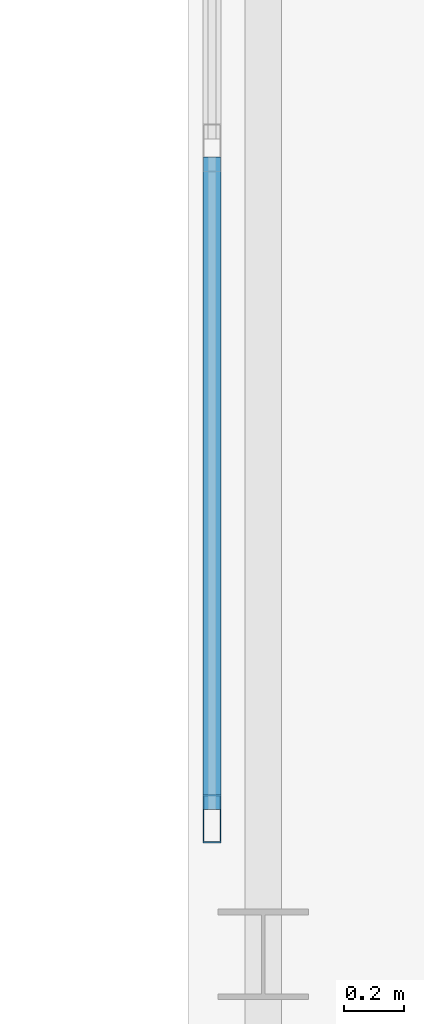
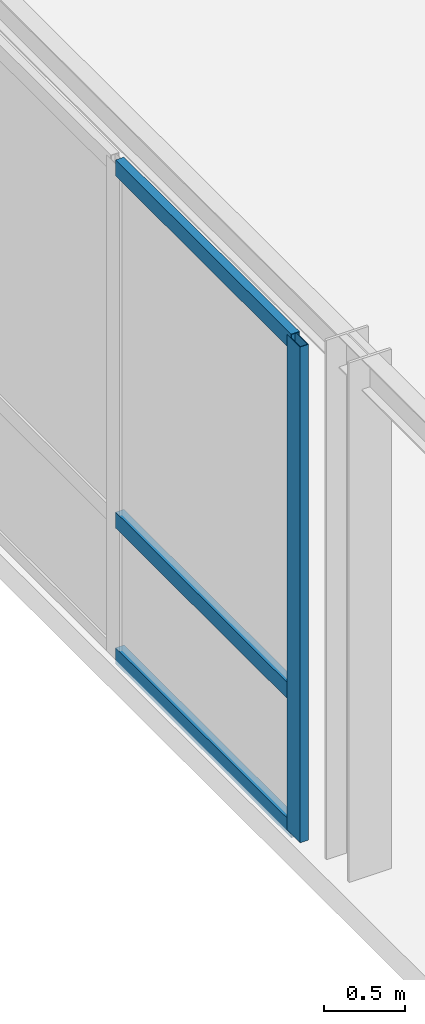
# One storey, part 125 of 189: 4 members, 1 element without a shape of its own.
"""IFC4 building model written with IfcOpenShell, lengths in metres."""

from ifc_helpers import new_model, si_unit, direction, frame, origin, origin_2d, place, context, subcontext, project, spatial, hollow_rectangle, extrude, material, layer, layer_set, material_profile, profile_set, type_object, element, aggregate, save


model = new_model("IFC4")

# Units and contexts
model_context = context("Model", 3, precision=1e-05, world=origin(), true_north=direction((0.0, 1.0)))
body_context = subcontext(model_context, "Body", "Model", "MODEL_VIEW")
ifc_project = project(units=[si_unit("LENGTHUNIT", "METRE"), si_unit("AREAUNIT", "SQUARE_METRE"), si_unit("VOLUMEUNIT", "CUBIC_METRE"), si_unit("PLANEANGLEUNIT", "RADIAN"), si_unit("MASSUNIT", "GRAM", prefix="KILO")], contexts=[model_context])

# Site, building, storey
site_placement = place(None, origin())
site = spatial("IfcSite", under=ifc_project, at=site_placement, CompositionType="ELEMENT")
building_placement = place(site_placement, origin())
building = spatial("IfcBuilding", under=site, at=building_placement, Name="Montecoro Central Library", CompositionType="ELEMENT")
storey_placement = place(building_placement, frame((0.0, 0.0, 9.179931640625)))
storey = spatial("IfcBuildingStorey", under=building, at=storey_placement, Name="L02", CompositionType="ELEMENT", Elevation=9.179931640625)

# Curtain wall, members
ifc_material_1 = material(Name="Bronze-anodised aluminium and low-E glazing", Category="aluminium")
ifc_layer = layer(ifc_material_1, 0.159912109375)
ifc_layer_set = layer_set([ifc_layer], Name="Bronze-anodised aluminium and low-E glazing")
curtain_wall_type = type_object("IfcCurtainWallType", Name="CWT-085", PredefinedType="NOTDEFINED", material=ifc_layer_set)
curtain_wall_placement = place(storey_placement, origin())
curtain_wall = element("IfcCurtainWall", 1, at=curtain_wall_placement, inside=storey, type_object=curtain_wall_type, Name="BR-E-L02-CW-W1", PredefinedType="NOTDEFINED")
ifc_material_2 = material(Name="Bronze-anodised aluminium", Category="aluminium")
ifc_material_profile_1 = material_profile(ifc_material_2, hollow_rectangle(XDim=0.06005859375, YDim=0.159912109375, WallThickness=0.00390625, at=origin_2d()), Name="CWM 160x60x4.0")
ifc_profile_set_1 = profile_set([ifc_material_profile_1], Name="Bronze-anodised aluminium")
member_type_1 = type_object("IfcMemberType", Name="CWM-BRZ-60", PredefinedType="MULLION", material=ifc_profile_set_1)
member_1_placement = place(storey_placement, frame((154.080078125, 51.050048828125, 0.0), z_axis=(0.0, 0.0, 1.0), x_axis=(-1.0, 0.0, 0.0)))
member_1 = element("IfcMember", 2, at=member_1_placement, type_object=member_type_1, Name="CW-085 mullion 1", PredefinedType="MULLION", context=body_context, shape_type="SweptSolid", body=[
    extrude(hollow_rectangle(XDim=0.06005859375, YDim=0.159912109375, WallThickness=0.00390625, at=origin_2d()), origin(), (0.0, 0.0, 1.0), 3.72998046875),
])
ifc_material_profile_2 = material_profile(ifc_material_2, hollow_rectangle(XDim=0.06005859375, YDim=0.1201171875, WallThickness=0.00390625, at=origin_2d()), Name="CWT 120x60x4.0")
ifc_profile_set_2 = profile_set([ifc_material_profile_2], Name="Bronze-anodised aluminium")
member_type_2 = type_object("IfcMemberType", Name="CWT-BRZ-60", PredefinedType="USERDEFINED", material=ifc_profile_set_2)
member_2_placement = place(storey_placement, frame((154.080078125, 51.080078125, 0.030029296875), z_axis=(0.0, 1.0, 0.0), x_axis=(-1.0, 0.0, 0.0)))
member_2 = element("IfcMember", 3, at=member_2_placement, type_object=member_type_2, Name="CW-085 transom 1.1", ObjectType="TRANSOM", PredefinedType="USERDEFINED", context=body_context, shape_type="SweptSolid", body=[
    extrude(hollow_rectangle(XDim=0.06005859375, YDim=0.1201171875, WallThickness=0.00390625, at=origin_2d()), origin(), (0.0, 0.0, 1.0), 2.163330078125),
])
member_3_placement = place(storey_placement, frame((154.080078125, 51.080078125, 1.050048828125), z_axis=(0.0, 1.0, 0.0), x_axis=(-1.0, 0.0, 0.0)))
member_3 = element("IfcMember", 4, at=member_3_placement, type_object=member_type_2, Name="CW-085 transom 1.2", ObjectType="TRANSOM", PredefinedType="USERDEFINED", context=body_context, shape_type="SweptSolid", body=[
    extrude(hollow_rectangle(XDim=0.06005859375, YDim=0.1201171875, WallThickness=0.00390625, at=origin_2d()), origin(), (0.0, 0.0, 1.0), 2.163330078125),
])
member_4_placement = place(storey_placement, frame((154.080078125, 51.080078125, 3.699951171875), z_axis=(0.0, 1.0, 0.0), x_axis=(-1.0, 0.0, 0.0)))
member_4 = element("IfcMember", 5, at=member_4_placement, type_object=member_type_2, Name="CW-085 transom 1.3", ObjectType="TRANSOM", PredefinedType="USERDEFINED", context=body_context, shape_type="SweptSolid", body=[
    extrude(hollow_rectangle(XDim=0.06005859375, YDim=0.1201171875, WallThickness=0.00390625, at=origin_2d()), origin(), (0.0, 0.0, 1.0), 2.163330078125),
])
aggregate(curtain_wall, [member_1, member_2, member_3, member_4])

save(model, "model.ifc")
